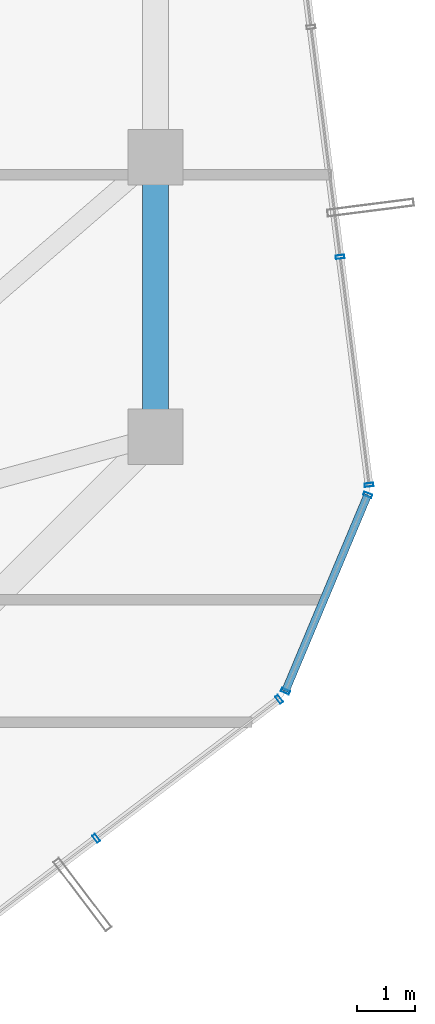
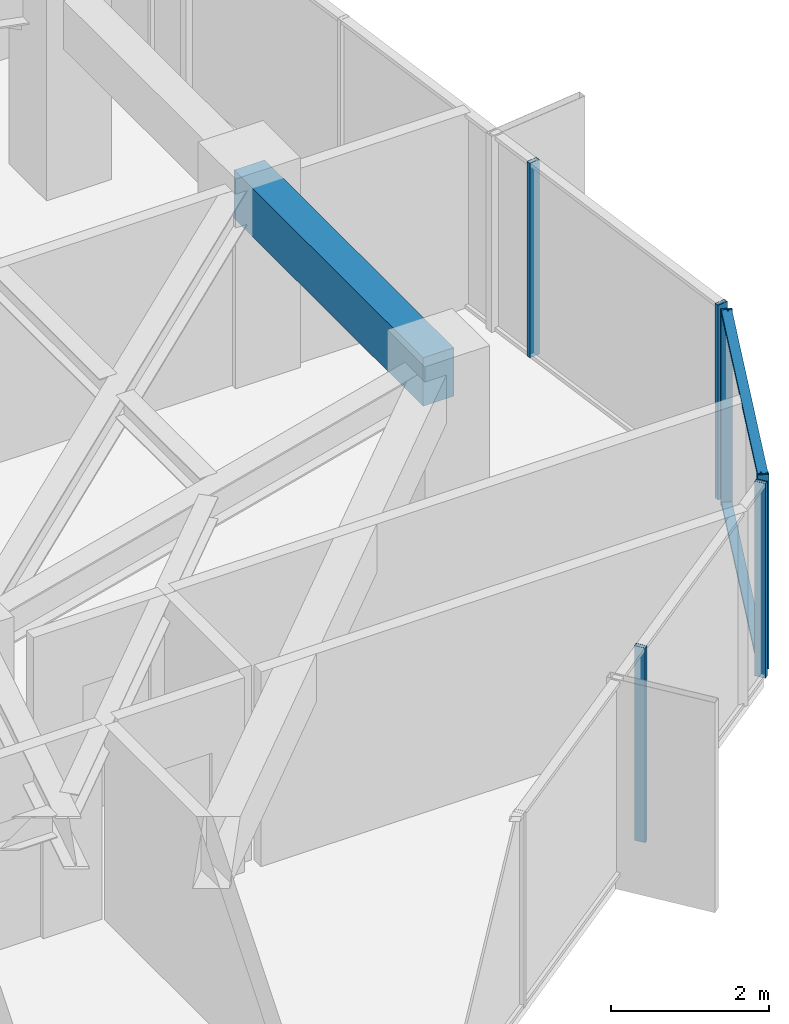
# One storey, part 17 of 32: 8 members, 1 beam, 3 elements without a shape of their own.
"""IFC4 building model written with IfcOpenShell, lengths in metres."""

import ifcopenshell
import ifcopenshell.guid

model = None  # the IFC model being written
_history = None  # IfcOwnerHistory: only IFC2X3 demands one
_inside = {}  # id of a spatial element -> (the spatial element, [elements in it])
_under = {}  # id of a project, library or spatial element -> (it, [spatial elements below it])
_declared = {}  # id of a project -> (the project, [libraries it declares])
_typed = {}  # id of a type object -> (the type object, [elements of that type])
_made_of = {}  # id of a material, layer set ... -> (it, [elements and type objects made of it])


def new_model(schema):
    """Start an empty IFC model of exactly this schema.

    Asked for "IFC4X3", IfcOpenShell would pick the latest addendum, in which some entities
    have other attributes; the version numbers below select the first issue.
    IFC2X3 requires an IfcOwnerHistory on every rooted entity: one is made here for all.
    """
    global model, _history
    if schema == "IFC4X3":
        model = ifcopenshell.file(schema_version=(4, 3, 0, 0))
    else:
        model = ifcopenshell.file(schema=schema)
    _inside.clear()
    _under.clear()
    _declared.clear()
    _typed.clear()
    _made_of.clear()
    _history = None
    if model.schema == "IFC2X3":
        org = make("IfcOrganization", Name="unknown")
        user = make(
            "IfcPersonAndOrganization",
            ThePerson=make("IfcPerson", FamilyName="unknown"),
            TheOrganization=org,
        )
        app = make(
            "IfcApplication",
            ApplicationDeveloper=org,
            Version="unknown",
            ApplicationFullName="unknown",
            ApplicationIdentifier="unknown",
        )
        _history = make(
            "IfcOwnerHistory",
            OwningUser=user,
            OwningApplication=app,
            ChangeAction="ADDED",
            CreationDate=0,
        )
    return model


def make(cls, **values):
    """One entity of the class cls with the attributes given. An attribute that is None is left unset."""
    return model.create_entity(
        cls, **{name: value for name, value in values.items() if value is not None}
    )


def rooted(cls, **values):
    """An entity with a GlobalId (a new one), such as an element, a storey or a relation."""
    return make(cls, GlobalId=ifcopenshell.guid.new(), OwnerHistory=_history, **values)


def si_unit(unit_type, name, prefix=None):
    """IfcSIUnit, for example si_unit("LENGTHUNIT", "METRE", prefix="MILLI")."""
    return make("IfcSIUnit", UnitType=unit_type, Prefix=prefix, Name=name)


def assignment(units):
    """IfcUnitAssignment: the units of a project."""
    return None if units is None else make("IfcUnitAssignment", Units=units)


def point(xyz):
    """IfcCartesianPoint."""
    return None if xyz is None else make("IfcCartesianPoint", Coordinates=xyz)


def direction(xyz):
    """IfcDirection."""
    return None if xyz is None else make("IfcDirection", DirectionRatios=xyz)


def frame(location, z_axis=None, x_axis=None):
    """IfcAxis2Placement3D, a coordinate frame: its origin and axes. An axis left out is left unset."""
    return make(
        "IfcAxis2Placement3D",
        Location=point(location),
        Axis=direction(z_axis),
        RefDirection=direction(x_axis),
    )


def frame_2d(location, x_axis=None):
    """IfcAxis2Placement2D, a coordinate frame in the plane: its origin and x axis."""
    return make(
        "IfcAxis2Placement2D", Location=point(location), RefDirection=direction(x_axis)
    )


def origin():
    """The frame at (0, 0, 0) with its axes left unset."""
    return frame((0.0, 0.0, 0.0))


def origin_2d():
    """The frame at (0, 0) in the plane with its x axis left unset."""
    return frame_2d((0.0, 0.0))


def place(relative_to, where):
    """IfcLocalPlacement: puts the frame where relative to a parent placement (None: the world)."""
    return make(
        "IfcLocalPlacement", PlacementRelTo=relative_to, RelativePlacement=where
    )


def context(
    kind, dimensions, precision=None, world=None, true_north=None, identifier=None
):
    """IfcGeometricRepresentationContext, for example the 3D "Model" context."""
    return make(
        "IfcGeometricRepresentationContext",
        ContextIdentifier=identifier,
        ContextType=kind,
        CoordinateSpaceDimension=dimensions,
        Precision=precision,
        WorldCoordinateSystem=world,
        TrueNorth=true_north,
    )


def subcontext(parent, identifier, kind, view, scale=None):
    """IfcGeometricRepresentationSubContext, for example "Body" below "Model"."""
    return make(
        "IfcGeometricRepresentationSubContext",
        ContextIdentifier=identifier,
        ContextType=kind,
        ParentContext=parent,
        TargetScale=scale,
        TargetView=view,
    )


def project(units=None, contexts=None):
    """IfcProject with its units and contexts."""
    return rooted(
        "IfcProject",
        Name="project",
        RepresentationContexts=contexts,
        UnitsInContext=assignment(units),
    )


def spatial(cls, under=None, at=None, **own):
    """A site, building, storey or space (cls), placed at a placement, below another one or the project."""
    s = rooted(cls, ObjectPlacement=at, **own)
    if under is not None:
        _under.setdefault(under.id(), (under, []))[1].append(s)
    return s


def profile(cls, at=None, kind="AREA", **sizes):
    """A parametric profile (cls). Its sizes go by their IFC names, for example OverallWidth=200.0."""
    return make(cls, ProfileType=kind, Position=at, **sizes)


def rectangle(**sizes):
    """IfcRectangleProfileDef."""
    return profile("IfcRectangleProfileDef", **sizes)


def hollow_rectangle(**sizes):
    """IfcRectangleHollowProfileDef."""
    return profile("IfcRectangleHollowProfileDef", **sizes)


def extrude(swept, where, along, depth):
    """IfcExtrudedAreaSolid: the profile swept, set in the frame where, extruded along a direction by depth."""
    return make(
        "IfcExtrudedAreaSolid",
        SweptArea=swept,
        Position=where,
        ExtrudedDirection=direction(along),
        Depth=depth,
    )


def shape(context_of_items, identifier, shape_type, items):
    """IfcShapeRepresentation: the items that make up one representation, for example the "Body"."""
    return make(
        "IfcShapeRepresentation",
        ContextOfItems=context_of_items,
        RepresentationIdentifier=identifier,
        RepresentationType=shape_type,
        Items=items,
    )


def source(mapping_origin, context_of_items, identifier, shape_type, items):
    """IfcRepresentationMap: a shape defined once, which mapped items show again and again."""
    return make(
        "IfcRepresentationMap",
        MappingOrigin=mapping_origin,
        MappedRepresentation=shape(context_of_items, identifier, shape_type, items),
    )


def transform(
    local_origin,
    x_axis=None,
    y_axis=None,
    z_axis=None,
    scale=None,
    scale2=None,
    scale3=None,
    uniform=True,
):
    """IfcCartesianTransformationOperator3D, or its non-uniform kind. x_axis, y_axis, z_axis: its Axis1, 2, 3."""
    if uniform:
        return make(
            "IfcCartesianTransformationOperator3D",
            Axis1=direction(x_axis),
            Axis2=direction(y_axis),
            LocalOrigin=point(local_origin),
            Scale=scale,
            Axis3=direction(z_axis),
        )
    return make(
        "IfcCartesianTransformationOperator3DnonUniform",
        Axis1=direction(x_axis),
        Axis2=direction(y_axis),
        LocalOrigin=point(local_origin),
        Scale=scale,
        Axis3=direction(z_axis),
        Scale2=scale2,
        Scale3=scale3,
    )


def mapped(mapping_source, mapping_target):
    """IfcMappedItem: shows the shape of a source again, moved by a transform."""
    return make(
        "IfcMappedItem", MappingSource=mapping_source, MappingTarget=mapping_target
    )


def material(Name=None, Category=None):
    """IfcMaterial."""
    return make("IfcMaterial", Name=Name, Category=Category)


def layer(
    of_material, thickness, ventilated=None, Name=None, Category=None, Priority=None
):
    """IfcMaterialLayer: one layer of a wall or slab, of a material (None: an air gap)."""
    return make(
        "IfcMaterialLayer",
        Material=of_material,
        LayerThickness=thickness,
        IsVentilated=ventilated,
        Name=Name,
        Category=Category,
        Priority=Priority,
    )


def layer_set(layers, Name=None):
    """IfcMaterialLayerSet."""
    return make("IfcMaterialLayerSet", MaterialLayers=layers, LayerSetName=Name)


def material_profile(
    of_material, cross_section, Name=None, Category=None, Priority=None
):
    """IfcMaterialProfile: a cross section and its material."""
    return make(
        "IfcMaterialProfile",
        Name=Name,
        Material=of_material,
        Profile=cross_section,
        Priority=Priority,
        Category=Category,
    )


def profile_set(profiles, Name=None, composite=None):
    """IfcMaterialProfileSet."""
    return make(
        "IfcMaterialProfileSet",
        Name=Name,
        MaterialProfiles=profiles,
        CompositeProfile=composite,
    )


def made_of(thing, what):
    """Note that an element or type object is made of a material, layer set ...; save() writes the relation."""
    if what is not None:
        _made_of.setdefault(what.id(), (what, []))[1].append(thing)
    return thing


def type_object(cls, material=None, **own):
    """A type object (cls), such as IfcWallType, which elements share."""
    return made_of(rooted(cls, **own), material)


def element(
    cls,
    number,
    at=None,
    inside=None,
    cuts=None,
    type_object=None,
    material=None,
    context=None,
    identifier="Body",
    shape_type=None,
    held_by="IfcProductDefinitionShape",
    body=None,
    shapes=None,
    **own,
):
    """One element of the class cls, such as IfcWall. Its Tag is "e" and its number.

    at: its placement. inside: the storey or other place that contains it. cuts: it is an
    opening in that element (IfcRelVoidsElement). A single representation is given by context,
    identifier, shape_type and body (its items); several are given by shapes. held_by: the class
    of the entity that holds the representations. save() writes the other relations.
    """
    e = rooted(cls, Tag="e%d" % number, ObjectPlacement=at, **own)
    if body is not None:
        shapes = [shape(context, identifier, shape_type, body)]
    if shapes is not None:
        e.Representation = make(held_by, Representations=shapes)
    if inside is not None:
        _inside.setdefault(inside.id(), (inside, []))[1].append(e)
    if cuts is not None:
        rooted(
            "IfcRelVoidsElement", RelatingBuildingElement=cuts, RelatedOpeningElement=e
        )
    if type_object is not None:
        _typed.setdefault(type_object.id(), (type_object, []))[1].append(e)
    return made_of(e, material)


def aggregate(whole, parts):
    """IfcRelAggregates: a whole, such as a stair, and the parts it consists of."""
    return rooted("IfcRelAggregates", RelatingObject=whole, RelatedObjects=parts)


def save(model, path):
    """Write the relations noted so far, then the file.

    IfcRelAggregates (storeys below a building ...), IfcRelContainedInSpatialStructure (elements
    in a storey), IfcRelDefinesByType, IfcRelAssociatesMaterial and IfcRelDeclares: one each for
    every whole, place, type object, material and project.
    """
    for whole, parts in _under.values():
        aggregate(whole, parts)
    for where, things in _inside.values():
        rooted(
            "IfcRelContainedInSpatialStructure",
            RelatedElements=things,
            RelatingStructure=where,
        )
    for kind, things in _typed.values():
        rooted("IfcRelDefinesByType", RelatedObjects=things, RelatingType=kind)
    for what, things in _made_of.values():
        rooted("IfcRelAssociatesMaterial", RelatedObjects=things, RelatingMaterial=what)
    for by, libraries in _declared.values():
        rooted("IfcRelDeclares", RelatingContext=by, RelatedDefinitions=libraries)
    model.write(path)


model = new_model("IFC4")

# Units and contexts
model_context = context("Model", 3, precision=1e-05, world=origin(), true_north=direction((0.0, 1.0)))
body_context = subcontext(model_context, "Body", "Model", "MODEL_VIEW")
ifc_project = project(units=[si_unit("LENGTHUNIT", "METRE"), si_unit("AREAUNIT", "SQUARE_METRE"), si_unit("VOLUMEUNIT", "CUBIC_METRE"), si_unit("PLANEANGLEUNIT", "RADIAN"), si_unit("MASSUNIT", "GRAM", prefix="KILO")], contexts=[model_context])

# Site, building, storey
site_placement = place(None, origin())
site = spatial("IfcSite", under=ifc_project, at=site_placement, CompositionType="ELEMENT")
building_placement = place(site_placement, origin())
building = spatial("IfcBuilding", under=site, at=building_placement, Name="Veraguas Prism Commons", CompositionType="ELEMENT")
storey_placement = place(building_placement, frame((0.0, 0.0, 182.10009765625)))
storey = spatial("IfcBuildingStorey", under=building, at=storey_placement, Name="L51", CompositionType="ELEMENT", Elevation=182.10009765625)

# Beam
ifc_material_1 = material(Name="Concrete C50/60", Category="concrete")
ifc_material_profile_1 = material_profile(ifc_material_1, rectangle(XDim=0.449951171875, YDim=0.75, at=origin_2d()), Name="RC450X750")
ifc_profile_set_1 = profile_set([ifc_material_profile_1], Name="Concrete C50/60")
beam_type = type_object("IfcBeamType", Name="Perimeter Spandrel Upper RC 450x750", PredefinedType="SPANDREL", material=ifc_profile_set_1)
beam_placement = place(storey_placement, frame((38.89990234375, 19.199951171875, 2.639892578125), z_axis=(0.0, 1.0, 0.0), x_axis=(-1.0, 0.0, 0.0)))
element("IfcBeam", 1, at=beam_placement, inside=storey, type_object=beam_type, Name="Perimeter Spandrel Beam L51-SP01", PredefinedType="SPANDREL", context=body_context, shape_type="SweptSolid", body=[
    extrude(rectangle(XDim=0.449951171875, YDim=0.75, at=origin_2d()), origin(), (0.0, 0.0, 1.0), 4.800048828125),
])

# Curtain wall, members
ifc_material_2 = material(Name="Anodised aluminium EN AW-6063 T6", Category="aluminium")
ifc_layer = layer(ifc_material_2, 0.14990234375, Name="Unitised Flush Curtain Wall Zone 3", Category="aluminium")
ifc_layer_set = layer_set([ifc_layer], Name="Anodised aluminium EN AW-6063 T6")
curtain_wall_type = type_object("IfcCurtainWallType", Name="Unitised Flush Curtain Wall Zone 3", PredefinedType="NOTDEFINED", material=ifc_layer_set)
curtain_wall_1_placement = place(storey_placement, origin())
curtain_wall_1 = element("IfcCurtainWall", 2, at=curtain_wall_1_placement, inside=storey, type_object=curtain_wall_type, Name="Tower Facade Curtain Wall L51-F5", PredefinedType="NOTDEFINED")
ifc_material_profile_2 = material_profile(ifc_material_2, hollow_rectangle(XDim=0.06005859375, YDim=0.14990234375, WallThickness=0.0029296875, at=origin_2d()), Name="AL60X150X3")
ifc_profile_set_2 = profile_set([ifc_material_profile_2], Name="Anodised aluminium EN AW-6063 T6")
member_type_1 = type_object("IfcMemberType", Name="Curtain Wall Mullion Upper AL 60x150x3", PredefinedType="MULLION", material=ifc_profile_set_2)
shared_shape_1 = source(origin(), body_context, "Body", "SweptSolid", [
    extrude(hollow_rectangle(XDim=0.06005859375, YDim=0.14990234375, WallThickness=0.0029296875, at=origin_2d()), origin(), (0.0, 0.0, 1.0), 3.014892578125),
])
member_1_placement = place(storey_placement, frame((37.88232421875, 12.306640625, 0.0), z_axis=(0.0, 0.0, 1.0), x_axis=(0.796104465545, 0.605159218668, 0.0)))
member_1 = element("IfcMember", 3, at=member_1_placement, type_object=member_type_1, Name="CW-Z3 Mullion 4", PredefinedType="MULLION", context=body_context, shape_type="MappedRepresentation", body=[
    mapped(shared_shape_1, transform((0.0, 0.0, 0.0), scale=1.0)),
])
member_2_placement = place(storey_placement, frame((41.0234375, 14.6943359375, 0.0), z_axis=(0.0, 0.0, 1.0), x_axis=(0.796104465545, 0.605159218668, 0.0)))
member_2 = element("IfcMember", 4, at=member_2_placement, type_object=member_type_1, Name="CW-Z3 Mullion 5", PredefinedType="MULLION", context=body_context, shape_type="MappedRepresentation", body=[
    mapped(shared_shape_1, transform((0.0, 0.0, 0.0), scale=1.0)),
])
aggregate(curtain_wall_1, [member_1, member_2])

curtain_wall_2_placement = place(storey_placement, origin())
curtain_wall_2 = element("IfcCurtainWall", 5, at=curtain_wall_2_placement, inside=storey, type_object=curtain_wall_type, Name="Tower Facade Curtain Wall L51-F6", PredefinedType="NOTDEFINED")
member_3_placement = place(storey_placement, frame((42.567138671875, 18.373779296875, 0.0), z_axis=(0.0, 0.0, 1.0), x_axis=(-0.126018904031, 0.992027840248, 0.0)))
member_3 = element("IfcMember", 6, at=member_3_placement, type_object=member_type_1, Name="CW-Z3 Mullion 1", PredefinedType="MULLION", context=body_context, shape_type="MappedRepresentation", body=[
    mapped(shared_shape_1, transform((0.0, 0.0, 0.0), scale=1.0)),
])
member_4_placement = place(storey_placement, frame((42.070068359375, 22.2880859375, 0.0), z_axis=(0.0, 0.0, 1.0), x_axis=(-0.126018904031, 0.992027840248, 0.0)))
member_4 = element("IfcMember", 7, at=member_4_placement, type_object=member_type_1, Name="CW-Z3 Mullion 2", PredefinedType="MULLION", context=body_context, shape_type="MappedRepresentation", body=[
    mapped(shared_shape_1, transform((0.0, 0.0, 0.0), scale=1.0)),
])
aggregate(curtain_wall_2, [member_3, member_4])

curtain_wall_3_placement = place(storey_placement, origin())
curtain_wall_3 = element("IfcCurtainWall", 8, at=curtain_wall_3_placement, inside=storey, type_object=curtain_wall_type, Name="Chamfer Curtain Wall L51-C6", PredefinedType="NOTDEFINED")
member_5_placement = place(storey_placement, frame((41.130126953125, 14.831787109375, 0.0), z_axis=(0.0, 0.0, 1.0), x_axis=(0.386870300752, 0.922134139047, 0.0)))
member_5 = element("IfcMember", 9, at=member_5_placement, type_object=member_type_1, Name="CW-Z3 Mullion 1", PredefinedType="MULLION", context=body_context, shape_type="MappedRepresentation", body=[
    mapped(shared_shape_1, transform((0.0, 0.0, 0.0), scale=1.0)),
])
member_6_placement = place(storey_placement, frame((42.543701171875, 18.20166015625, 0.0), z_axis=(0.0, 0.0, 1.0), x_axis=(0.386870300752, 0.922134139047, 0.0)))
member_6 = element("IfcMember", 10, at=member_6_placement, type_object=member_type_1, Name="CW-Z3 Mullion 2", PredefinedType="MULLION", context=body_context, shape_type="MappedRepresentation", body=[
    mapped(shared_shape_1, transform((0.0, 0.0, 0.0), scale=1.0)),
])
ifc_material_profile_3 = material_profile(ifc_material_2, hollow_rectangle(XDim=0.054931640625, YDim=0.135009765625, WallThickness=0.0029296875, at=origin_2d()), Name="AL55X135X3")
ifc_profile_set_3 = profile_set([ifc_material_profile_3], Name="Anodised aluminium EN AW-6063 T6")
member_type_2 = type_object("IfcMemberType", Name="Curtain Wall Transom Standard AL 55x135x3", PredefinedType="USERDEFINED", material=ifc_profile_set_3)
shared_shape_2 = source(origin(), body_context, "Body", "SweptSolid", [
    extrude(hollow_rectangle(XDim=0.054931640625, YDim=0.135009765625, WallThickness=0.0029296875, at=origin_2d()), origin(), (0.0, 0.0, 1.0), 3.654296875),
])
member_7_placement = place(storey_placement, frame((41.130126953125, 14.831787109375, 0.02734375), z_axis=(0.386820146783, 0.922155178938, 0.0), x_axis=(0.0, 0.0, 1.0)))
member_7 = element("IfcMember", 11, at=member_7_placement, type_object=member_type_2, Name="CW-Z3 Transom 1", ObjectType="TRANSOM", PredefinedType="USERDEFINED", context=body_context, shape_type="MappedRepresentation", body=[
    mapped(shared_shape_2, transform((0.0, 0.0, 0.0), scale=1.0)),
])
member_8_placement = place(storey_placement, frame((41.130126953125, 14.831787109375, 2.9873046875), z_axis=(0.386820146783, 0.922155178938, 0.0), x_axis=(0.0, 0.0, 1.0)))
member_8 = element("IfcMember", 12, at=member_8_placement, type_object=member_type_2, Name="CW-Z3 Transom 2", ObjectType="TRANSOM", PredefinedType="USERDEFINED", context=body_context, shape_type="MappedRepresentation", body=[
    mapped(shared_shape_2, transform((0.0, 0.0, 0.0), scale=1.0)),
])
aggregate(curtain_wall_3, [member_5, member_6, member_7, member_8])

save(model, "model.ifc")
